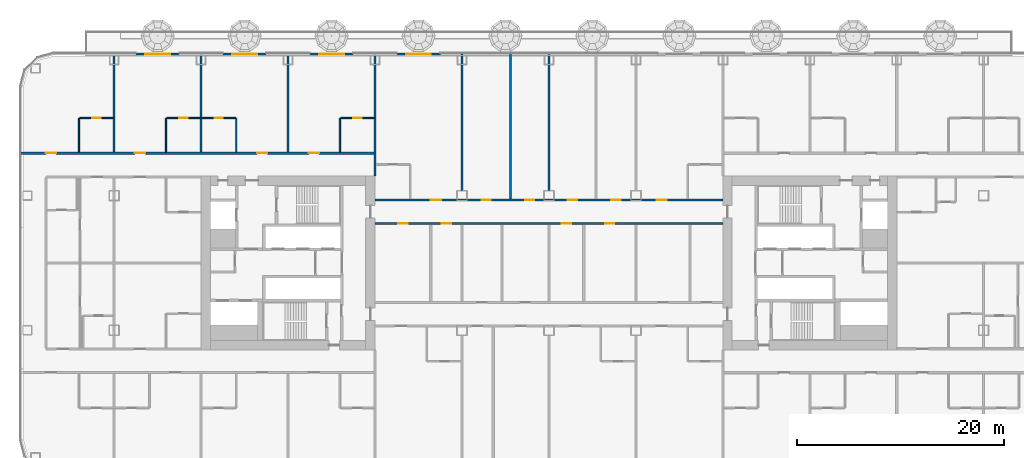
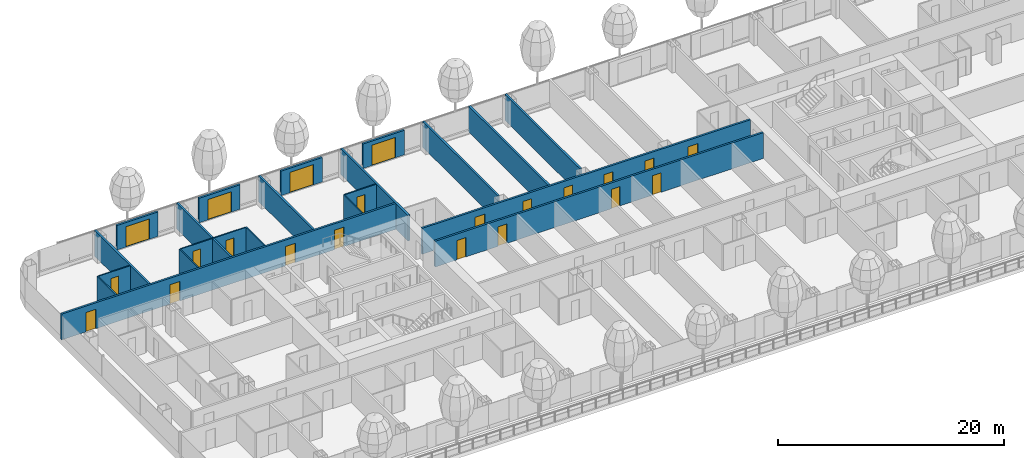
# One storey, part 16 of 35: 22 doors, 21 walls, 22 openings, 1 element without a shape of its own.
"""IFC4 building model written with IfcOpenShell, lengths in metres."""

import ifcopenshell
import ifcopenshell.guid

model = None  # the IFC model being written
_history = None  # IfcOwnerHistory: only IFC2X3 demands one
_inside = {}  # id of a spatial element -> (the spatial element, [elements in it])
_under = {}  # id of a project, library or spatial element -> (it, [spatial elements below it])
_declared = {}  # id of a project -> (the project, [libraries it declares])
_typed = {}  # id of a type object -> (the type object, [elements of that type])
_made_of = {}  # id of a material, layer set ... -> (it, [elements and type objects made of it])


def new_model(schema):
    """Start an empty IFC model of exactly this schema.

    Asked for "IFC4X3", IfcOpenShell would pick the latest addendum, in which some entities
    have other attributes; the version numbers below select the first issue.
    IFC2X3 requires an IfcOwnerHistory on every rooted entity: one is made here for all.
    """
    global model, _history
    if schema == "IFC4X3":
        model = ifcopenshell.file(schema_version=(4, 3, 0, 0))
    else:
        model = ifcopenshell.file(schema=schema)
    _inside.clear()
    _under.clear()
    _declared.clear()
    _typed.clear()
    _made_of.clear()
    _history = None
    if model.schema == "IFC2X3":
        org = make("IfcOrganization", Name="unknown")
        user = make(
            "IfcPersonAndOrganization",
            ThePerson=make("IfcPerson", FamilyName="unknown"),
            TheOrganization=org,
        )
        app = make(
            "IfcApplication",
            ApplicationDeveloper=org,
            Version="unknown",
            ApplicationFullName="unknown",
            ApplicationIdentifier="unknown",
        )
        _history = make(
            "IfcOwnerHistory",
            OwningUser=user,
            OwningApplication=app,
            ChangeAction="ADDED",
            CreationDate=0,
        )
    return model


def make(cls, **values):
    """One entity of the class cls with the attributes given. An attribute that is None is left unset."""
    return model.create_entity(
        cls, **{name: value for name, value in values.items() if value is not None}
    )


def rooted(cls, **values):
    """An entity with a GlobalId (a new one), such as an element, a storey or a relation."""
    return make(cls, GlobalId=ifcopenshell.guid.new(), OwnerHistory=_history, **values)


def si_unit(unit_type, name, prefix=None):
    """IfcSIUnit, for example si_unit("LENGTHUNIT", "METRE", prefix="MILLI")."""
    return make("IfcSIUnit", UnitType=unit_type, Prefix=prefix, Name=name)


def assignment(units):
    """IfcUnitAssignment: the units of a project."""
    return None if units is None else make("IfcUnitAssignment", Units=units)


def point(xyz):
    """IfcCartesianPoint."""
    return None if xyz is None else make("IfcCartesianPoint", Coordinates=xyz)


def direction(xyz):
    """IfcDirection."""
    return None if xyz is None else make("IfcDirection", DirectionRatios=xyz)


def frame(location, z_axis=None, x_axis=None):
    """IfcAxis2Placement3D, a coordinate frame: its origin and axes. An axis left out is left unset."""
    return make(
        "IfcAxis2Placement3D",
        Location=point(location),
        Axis=direction(z_axis),
        RefDirection=direction(x_axis),
    )


def frame_2d(location, x_axis=None):
    """IfcAxis2Placement2D, a coordinate frame in the plane: its origin and x axis."""
    return make(
        "IfcAxis2Placement2D", Location=point(location), RefDirection=direction(x_axis)
    )


def origin():
    """The frame at (0, 0, 0) with its axes left unset."""
    return frame((0.0, 0.0, 0.0))


def place(relative_to, where):
    """IfcLocalPlacement: puts the frame where relative to a parent placement (None: the world)."""
    return make(
        "IfcLocalPlacement", PlacementRelTo=relative_to, RelativePlacement=where
    )


def context(
    kind, dimensions, precision=None, world=None, true_north=None, identifier=None
):
    """IfcGeometricRepresentationContext, for example the 3D "Model" context."""
    return make(
        "IfcGeometricRepresentationContext",
        ContextIdentifier=identifier,
        ContextType=kind,
        CoordinateSpaceDimension=dimensions,
        Precision=precision,
        WorldCoordinateSystem=world,
        TrueNorth=true_north,
    )


def subcontext(parent, identifier, kind, view, scale=None):
    """IfcGeometricRepresentationSubContext, for example "Body" below "Model"."""
    return make(
        "IfcGeometricRepresentationSubContext",
        ContextIdentifier=identifier,
        ContextType=kind,
        ParentContext=parent,
        TargetScale=scale,
        TargetView=view,
    )


def project(units=None, contexts=None):
    """IfcProject with its units and contexts."""
    return rooted(
        "IfcProject",
        Name="project",
        RepresentationContexts=contexts,
        UnitsInContext=assignment(units),
    )


def spatial(cls, under=None, at=None, **own):
    """A site, building, storey or space (cls), placed at a placement, below another one or the project."""
    s = rooted(cls, ObjectPlacement=at, **own)
    if under is not None:
        _under.setdefault(under.id(), (under, []))[1].append(s)
    return s


def profile(cls, at=None, kind="AREA", **sizes):
    """A parametric profile (cls). Its sizes go by their IFC names, for example OverallWidth=200.0."""
    return make(cls, ProfileType=kind, Position=at, **sizes)


def rectangle(**sizes):
    """IfcRectangleProfileDef."""
    return profile("IfcRectangleProfileDef", **sizes)


def extrude(swept, where, along, depth):
    """IfcExtrudedAreaSolid: the profile swept, set in the frame where, extruded along a direction by depth."""
    return make(
        "IfcExtrudedAreaSolid",
        SweptArea=swept,
        Position=where,
        ExtrudedDirection=direction(along),
        Depth=depth,
    )


def shape(context_of_items, identifier, shape_type, items):
    """IfcShapeRepresentation: the items that make up one representation, for example the "Body"."""
    return make(
        "IfcShapeRepresentation",
        ContextOfItems=context_of_items,
        RepresentationIdentifier=identifier,
        RepresentationType=shape_type,
        Items=items,
    )


def material(Name=None, Category=None):
    """IfcMaterial."""
    return make("IfcMaterial", Name=Name, Category=Category)


def layer(
    of_material, thickness, ventilated=None, Name=None, Category=None, Priority=None
):
    """IfcMaterialLayer: one layer of a wall or slab, of a material (None: an air gap)."""
    return make(
        "IfcMaterialLayer",
        Material=of_material,
        LayerThickness=thickness,
        IsVentilated=ventilated,
        Name=Name,
        Category=Category,
        Priority=Priority,
    )


def layer_set(layers, Name=None):
    """IfcMaterialLayerSet."""
    return make("IfcMaterialLayerSet", MaterialLayers=layers, LayerSetName=Name)


def made_of(thing, what):
    """Note that an element or type object is made of a material, layer set ...; save() writes the relation."""
    if what is not None:
        _made_of.setdefault(what.id(), (what, []))[1].append(thing)
    return thing


def type_object(cls, material=None, **own):
    """A type object (cls), such as IfcWallType, which elements share."""
    return made_of(rooted(cls, **own), material)


def element(
    cls,
    number,
    at=None,
    inside=None,
    cuts=None,
    type_object=None,
    material=None,
    context=None,
    identifier="Body",
    shape_type=None,
    held_by="IfcProductDefinitionShape",
    body=None,
    shapes=None,
    **own,
):
    """One element of the class cls, such as IfcWall. Its Tag is "e" and its number.

    at: its placement. inside: the storey or other place that contains it. cuts: it is an
    opening in that element (IfcRelVoidsElement). A single representation is given by context,
    identifier, shape_type and body (its items); several are given by shapes. held_by: the class
    of the entity that holds the representations. save() writes the other relations.
    """
    e = rooted(cls, Tag="e%d" % number, ObjectPlacement=at, **own)
    if body is not None:
        shapes = [shape(context, identifier, shape_type, body)]
    if shapes is not None:
        e.Representation = make(held_by, Representations=shapes)
    if inside is not None:
        _inside.setdefault(inside.id(), (inside, []))[1].append(e)
    if cuts is not None:
        rooted(
            "IfcRelVoidsElement", RelatingBuildingElement=cuts, RelatedOpeningElement=e
        )
    if type_object is not None:
        _typed.setdefault(type_object.id(), (type_object, []))[1].append(e)
    return made_of(e, material)


def fill(opening, filler):
    """IfcRelFillsElement: the door or window that sits in an opening."""
    return rooted(
        "IfcRelFillsElement",
        RelatingOpeningElement=opening,
        RelatedBuildingElement=filler,
    )


def aggregate(whole, parts):
    """IfcRelAggregates: a whole, such as a stair, and the parts it consists of."""
    return rooted("IfcRelAggregates", RelatingObject=whole, RelatedObjects=parts)


def save(model, path):
    """Write the relations noted so far, then the file.

    IfcRelAggregates (storeys below a building ...), IfcRelContainedInSpatialStructure (elements
    in a storey), IfcRelDefinesByType, IfcRelAssociatesMaterial and IfcRelDeclares: one each for
    every whole, place, type object, material and project.
    """
    for whole, parts in _under.values():
        aggregate(whole, parts)
    for where, things in _inside.values():
        rooted(
            "IfcRelContainedInSpatialStructure",
            RelatedElements=things,
            RelatingStructure=where,
        )
    for kind, things in _typed.values():
        rooted("IfcRelDefinesByType", RelatedObjects=things, RelatingType=kind)
    for what, things in _made_of.values():
        rooted("IfcRelAssociatesMaterial", RelatedObjects=things, RelatingMaterial=what)
    for by, libraries in _declared.values():
        rooted("IfcRelDeclares", RelatingContext=by, RelatedDefinitions=libraries)
    model.write(path)


model = new_model("IFC4")

# Units and contexts
model_context = context("Model", 3, precision=1e-05, world=origin(), true_north=direction((0.0, 1.0)))
body_context = subcontext(model_context, "Body", "Model", "MODEL_VIEW")
ifc_project = project(units=[si_unit("LENGTHUNIT", "METRE"), si_unit("AREAUNIT", "SQUARE_METRE"), si_unit("VOLUMEUNIT", "CUBIC_METRE"), si_unit("PLANEANGLEUNIT", "RADIAN"), si_unit("MASSUNIT", "GRAM", prefix="KILO")], contexts=[model_context])

# Site, building, storey
site_placement = place(None, origin())
site = spatial("IfcSite", under=ifc_project, at=site_placement, CompositionType="ELEMENT")
building_placement = place(site_placement, origin())
building = spatial("IfcBuilding", under=site, at=building_placement, Name="Hakoniwa Tower and Hamabe Station Hall", CompositionType="ELEMENT")
storey_placement = place(building_placement, frame((0.0, 0.0, 51.800048828125)))
storey = spatial("IfcBuildingStorey", under=building, at=storey_placement, Name="L14", CompositionType="ELEMENT", Elevation=51.800048828125)

# Wall, opening, door
ifc_material_1 = material(Name="Gypsum board partition", Category="gypsum")
ifc_layer_1 = layer(ifc_material_1, 0.125)
ifc_layer_set_1 = layer_set([ifc_layer_1], Name="Bathroom Partition 125")
wall_type_1 = type_object("IfcWallType", Name="Bathroom Partition 125", PredefinedType="PARTITIONING", material=ifc_layer_set_1)
wall_1_placement = place(storey_placement, frame((-45.33740234375, 14.0, 0.0), z_axis=(0.0, 0.0, 1.0), x_axis=(1.0, 0.0, 0.0)))
wall_1 = element("IfcWall", 1, at=wall_1_placement, inside=storey, type_object=wall_type_1, Name="GW-L14-034", PredefinedType="PARTITIONING", context=body_context, shape_type="SweptSolid", body=[
    extrude(rectangle(XDim=3.2373046875, YDim=0.125, at=frame_2d((1.61865234375, 0.0))), origin(), (0.0, 0.0, 1.0), 2.800048828125),
])
opening_1_placement = place(wall_1_placement, frame((1.237548828125, 0.0, 0.0)))
opening_1 = element("IfcOpeningElement", 2, at=opening_1_placement, cuts=wall_1, Name="Opening GD-G1A2-64", PredefinedType="OPENING", context=body_context, shape_type="SweptSolid", body=[
    extrude(rectangle(XDim=0.800048828125, YDim=2.10009765625, at=frame_2d((0.39990234375, 1.050048828125))), frame((0.0, 0.072509765625, 0.0), z_axis=(0.0, -1.0, 0.0), x_axis=(1.0, 0.0, 0.0)), (0.0, 0.0, 1.0), 0.14501953125),
])
ifc_material_2 = material(Name="Timber door leaf", Category="wood")
door_type_1 = type_object("IfcDoorType", Name="Bathroom Door 800", OperationType="SINGLE_SWING_LEFT", PredefinedType="DOOR", material=ifc_material_2)
door_1_placement = place(opening_1_placement, origin())
door_1 = element("IfcDoor", 3, at=door_1_placement, inside=storey, type_object=door_type_1, Name="Door GD-G1A2-64", OperationType="SINGLE_SWING_LEFT", OverallHeight=2.10009765625, OverallWidth=0.800048828125, PredefinedType="DOOR", context=body_context, shape_type="SweptSolid", body=[
    extrude(rectangle(XDim=0.800048828125, YDim=2.10009765625, at=frame_2d((0.39990234375, 1.050048828125))), frame((0.0, 0.02490234375, 0.0), z_axis=(0.0, -1.0, 0.0), x_axis=(1.0, 0.0, 0.0)), (0.0, 0.0, 1.0), 0.050048828125),
])
fill(opening_1, door_1)

# Wall, openings, doors
wall_2_placement = place(storey_placement, frame((-36.9375, 14.0, 0.0), z_axis=(0.0, 0.0, 1.0), x_axis=(1.0, 0.0, 0.0)))
wall_2 = element("IfcWall", 4, at=wall_2_placement, inside=storey, type_object=wall_type_1, Name="GW-L14-035", PredefinedType="PARTITIONING", context=body_context, shape_type="SweptSolid", body=[
    extrude(rectangle(XDim=6.675048828125, YDim=0.125, at=frame_2d((3.33740234375, 0.0))), origin(), (0.0, 0.0, 1.0), 2.800048828125),
])
opening_2_placement = place(wall_2_placement, frame((1.237548828125, 0.0, 0.0)))
opening_2 = element("IfcOpeningElement", 5, at=opening_2_placement, cuts=wall_2, Name="Opening GD-G1A2-65", PredefinedType="OPENING", context=body_context, shape_type="SweptSolid", body=[
    extrude(rectangle(XDim=0.800048828125, YDim=2.10009765625, at=frame_2d((0.39990234375, 1.050048828125))), frame((0.0, 0.072509765625, 0.0), z_axis=(0.0, -1.0, 0.0), x_axis=(1.0, 0.0, 0.0)), (0.0, 0.0, 1.0), 0.14501953125),
])
opening_3_placement = place(wall_2_placement, frame((4.637451171875, 0.0, 0.0)))
opening_3 = element("IfcOpeningElement", 6, at=opening_3_placement, cuts=wall_2, Name="Opening GD-G1A2-66", PredefinedType="OPENING", context=body_context, shape_type="SweptSolid", body=[
    extrude(rectangle(XDim=0.800048828125, YDim=2.10009765625, at=frame_2d((0.39990234375, 1.050048828125))), frame((0.0, 0.072509765625, 0.0), z_axis=(0.0, -1.0, 0.0), x_axis=(1.0, 0.0, 0.0)), (0.0, 0.0, 1.0), 0.14501953125),
])
door_2_placement = place(opening_2_placement, origin())
door_2 = element("IfcDoor", 7, at=door_2_placement, inside=storey, type_object=door_type_1, Name="Door GD-G1A2-65", OperationType="SINGLE_SWING_RIGHT", OverallHeight=2.10009765625, OverallWidth=0.800048828125, PredefinedType="DOOR", context=body_context, shape_type="SweptSolid", body=[
    extrude(rectangle(XDim=0.800048828125, YDim=2.10009765625, at=frame_2d((0.39990234375, 1.050048828125))), frame((0.0, 0.02490234375, 0.0), z_axis=(0.0, -1.0, 0.0), x_axis=(1.0, 0.0, 0.0)), (0.0, 0.0, 1.0), 0.050048828125),
])
fill(opening_2, door_2)
door_3_placement = place(opening_3_placement, origin())
door_3 = element("IfcDoor", 8, at=door_3_placement, inside=storey, type_object=door_type_1, Name="Door GD-G1A2-66", OperationType="SINGLE_SWING_LEFT", OverallHeight=2.10009765625, OverallWidth=0.800048828125, PredefinedType="DOOR", context=body_context, shape_type="SweptSolid", body=[
    extrude(rectangle(XDim=0.800048828125, YDim=2.10009765625, at=frame_2d((0.39990234375, 1.050048828125))), frame((0.0, 0.02490234375, 0.0), z_axis=(0.0, -1.0, 0.0), x_axis=(1.0, 0.0, 0.0)), (0.0, 0.0, 1.0), 0.050048828125),
])
fill(opening_3, door_3)

# Wall, opening, door
wall_3_placement = place(storey_placement, frame((-20.137451171875, 14.0, 0.0), z_axis=(0.0, 0.0, 1.0), x_axis=(1.0, 0.0, 0.0)))
wall_3 = element("IfcWall", 9, at=wall_3_placement, inside=storey, type_object=wall_type_1, Name="GW-L14-036", PredefinedType="PARTITIONING", context=body_context, shape_type="SweptSolid", body=[
    extrude(rectangle(XDim=3.237548828125, YDim=0.125, at=frame_2d((1.61865234375, 0.0))), origin(), (0.0, 0.0, 1.0), 2.800048828125),
])
opening_4_placement = place(wall_3_placement, frame((1.237548828125, 0.0, 0.0)))
opening_4 = element("IfcOpeningElement", 10, at=opening_4_placement, cuts=wall_3, Name="Opening GD-G1A2-67", PredefinedType="OPENING", context=body_context, shape_type="SweptSolid", body=[
    extrude(rectangle(XDim=0.800048828125, YDim=2.10009765625, at=frame_2d((0.39990234375, 1.050048828125))), frame((0.0, 0.072509765625, 0.0), z_axis=(0.0, -1.0, 0.0), x_axis=(1.0, 0.0, 0.0)), (0.0, 0.0, 1.0), 0.14501953125),
])
door_4_placement = place(opening_4_placement, origin())
door_4 = element("IfcDoor", 11, at=door_4_placement, inside=storey, type_object=door_type_1, Name="Door GD-G1A2-67", OperationType="SINGLE_SWING_RIGHT", OverallHeight=2.10009765625, OverallWidth=0.800048828125, PredefinedType="DOOR", context=body_context, shape_type="SweptSolid", body=[
    extrude(rectangle(XDim=0.800048828125, YDim=2.10009765625, at=frame_2d((0.39990234375, 1.050048828125))), frame((0.0, 0.02490234375, 0.0), z_axis=(0.0, -1.0, 0.0), x_axis=(1.0, 0.0, 0.0)), (0.0, 0.0, 1.0), 0.050048828125),
])
fill(opening_4, door_4)

# Walls
for number, where, z_axis, x_axis, name in (
    (12, (-45.39990234375, 10.699951171875, 0.0), (0.0, 0.0, 1.0), (0.0, 1.0, 0.0), "GW-L14-043"),
    (13, (-37.0, 10.699951171875, 0.0), (0.0, 0.0, 1.0), (0.0, 1.0, 0.0), "GW-L14-052"),
    (14, (-30.199951171875, 10.699951171875, 0.0), (0.0, 0.0, 1.0), (0.0, 1.0, 0.0), "GW-L14-056"),
    (15, (-20.199951171875, 10.699951171875, 0.0), (0.0, 0.0, 1.0), (0.0, 1.0, 0.0), "GW-L14-060"),
):
    element("IfcWall", number, at=place(storey_placement, frame(where, z_axis=z_axis, x_axis=x_axis)), inside=storey, type_object=wall_type_1, Name=name, PredefinedType="PARTITIONING", context=body_context, shape_type="SweptSolid", body=[
        extrude(rectangle(XDim=3.300048828125, YDim=0.125, at=frame_2d((1.64990234375, 0.0))), origin(), (0.0, 0.0, 1.0), 2.800048828125),
    ])

# Wall, openings, doors
ifc_material_3 = material(Name="Fire-rated gypsum board partition", Category="gypsum")
ifc_layer_2 = layer(ifc_material_3, 0.199951171875)
ifc_layer_set_2 = layer_set([ifc_layer_2], Name="Corridor Wall 200")
wall_type_2 = type_object("IfcWallType", Name="Corridor Wall 200", PredefinedType="PARTITIONING", material=ifc_layer_set_2)
wall_4_placement = place(storey_placement, frame((-16.800048828125, 3.800048828125, 0.0), z_axis=(0.0, 0.0, 1.0), x_axis=(1.0, 0.0, 0.0)))
wall_4 = element("IfcWall", 16, at=wall_4_placement, inside=storey, type_object=wall_type_2, Name="GW-L14-022", PredefinedType="PARTITIONING", context=body_context, shape_type="SweptSolid", body=[
    extrude(rectangle(XDim=33.60009765625, YDim=0.199951171875, at=frame_2d((16.800048828125, 0.0))), origin(), (0.0, 0.0, 1.0), 2.800048828125),
])
opening_5_placement = place(wall_4_placement, frame((2.239990234375, 0.0, 0.0)))
opening_5 = element("IfcOpeningElement", 17, at=opening_5_placement, cuts=wall_4, Name="Opening GD-G1A2-37", PredefinedType="OPENING", context=body_context, shape_type="SweptSolid", body=[
    extrude(rectangle(XDim=0.89990234375, YDim=2.10009765625, at=frame_2d((0.449951171875, 1.050048828125))), frame((0.0, 0.10986328125, 0.0), z_axis=(0.0, -1.0, 0.0), x_axis=(1.0, 0.0, 0.0)), (0.0, 0.0, 1.0), 0.219970703125),
])
opening_6_placement = place(wall_4_placement, frame((6.43994140625, 0.0, 0.0)))
opening_6 = element("IfcOpeningElement", 18, at=opening_6_placement, cuts=wall_4, Name="Opening GD-G1A2-38", PredefinedType="OPENING", context=body_context, shape_type="SweptSolid", body=[
    extrude(rectangle(XDim=0.89990234375, YDim=2.10009765625, at=frame_2d((0.449951171875, 1.050048828125))), frame((0.0, 0.10986328125, 0.0), z_axis=(0.0, -1.0, 0.0), x_axis=(1.0, 0.0, 0.0)), (0.0, 0.0, 1.0), 0.219970703125),
])
opening_7_placement = place(wall_4_placement, frame((18.030029296875, 0.0, 0.0)))
opening_7 = element("IfcOpeningElement", 19, at=opening_7_placement, cuts=wall_4, Name="Opening GD-G1A2-39", PredefinedType="OPENING", context=body_context, shape_type="SweptSolid", body=[
    extrude(rectangle(XDim=0.89990234375, YDim=2.10009765625, at=frame_2d((0.449951171875, 1.050048828125))), frame((0.0, 0.10986328125, 0.0), z_axis=(0.0, -1.0, 0.0), x_axis=(1.0, 0.0, 0.0)), (0.0, 0.0, 1.0), 0.219970703125),
])
opening_8_placement = place(wall_4_placement, frame((22.22998046875, 0.0, 0.0)))
opening_8 = element("IfcOpeningElement", 20, at=opening_8_placement, cuts=wall_4, Name="Opening GD-G1A2-40", PredefinedType="OPENING", context=body_context, shape_type="SweptSolid", body=[
    extrude(rectangle(XDim=0.89990234375, YDim=2.10009765625, at=frame_2d((0.449951171875, 1.050048828125))), frame((0.0, 0.10986328125, 0.0), z_axis=(0.0, -1.0, 0.0), x_axis=(1.0, 0.0, 0.0)), (0.0, 0.0, 1.0), 0.219970703125),
])
ifc_material_4 = material(Name="Timber door leaf", Category="wood")
door_type_2 = type_object("IfcDoorType", Name="Service Door 900", OperationType="SINGLE_SWING_LEFT", PredefinedType="DOOR", material=ifc_material_4)
door_5_placement = place(opening_5_placement, origin())
door_5 = element("IfcDoor", 21, at=door_5_placement, inside=storey, type_object=door_type_2, Name="Door GD-G1A2-37", OperationType="SINGLE_SWING_LEFT", OverallHeight=2.10009765625, OverallWidth=0.89990234375, PredefinedType="DOOR", context=body_context, shape_type="SweptSolid", body=[
    extrude(rectangle(XDim=0.89990234375, YDim=2.10009765625, at=frame_2d((0.449951171875, 1.050048828125))), frame((0.0, 0.02490234375, 0.0), z_axis=(0.0, -1.0, 0.0), x_axis=(1.0, 0.0, 0.0)), (0.0, 0.0, 1.0), 0.050048828125),
])
fill(opening_5, door_5)
door_6_placement = place(opening_6_placement, origin())
door_6 = element("IfcDoor", 22, at=door_6_placement, inside=storey, type_object=door_type_2, Name="Door GD-G1A2-38", OperationType="SINGLE_SWING_RIGHT", OverallHeight=2.10009765625, OverallWidth=0.89990234375, PredefinedType="DOOR", context=body_context, shape_type="SweptSolid", body=[
    extrude(rectangle(XDim=0.89990234375, YDim=2.10009765625, at=frame_2d((0.449951171875, 1.050048828125))), frame((0.0, 0.02490234375, 0.0), z_axis=(0.0, -1.0, 0.0), x_axis=(1.0, 0.0, 0.0)), (0.0, 0.0, 1.0), 0.050048828125),
])
fill(opening_6, door_6)
door_7_placement = place(opening_7_placement, origin())
door_7 = element("IfcDoor", 23, at=door_7_placement, inside=storey, type_object=door_type_2, Name="Door GD-G1A2-39", OperationType="SINGLE_SWING_LEFT", OverallHeight=2.10009765625, OverallWidth=0.89990234375, PredefinedType="DOOR", context=body_context, shape_type="SweptSolid", body=[
    extrude(rectangle(XDim=0.89990234375, YDim=2.10009765625, at=frame_2d((0.449951171875, 1.050048828125))), frame((0.0, 0.02490234375, 0.0), z_axis=(0.0, -1.0, 0.0), x_axis=(1.0, 0.0, 0.0)), (0.0, 0.0, 1.0), 0.050048828125),
])
fill(opening_7, door_7)
door_8_placement = place(opening_8_placement, origin())
door_8 = element("IfcDoor", 24, at=door_8_placement, inside=storey, type_object=door_type_2, Name="Door GD-G1A2-40", OperationType="SINGLE_SWING_LEFT", OverallHeight=2.10009765625, OverallWidth=0.89990234375, PredefinedType="DOOR", context=body_context, shape_type="SweptSolid", body=[
    extrude(rectangle(XDim=0.89990234375, YDim=2.10009765625, at=frame_2d((0.449951171875, 1.050048828125))), frame((0.0, 0.02490234375, 0.0), z_axis=(0.0, -1.0, 0.0), x_axis=(1.0, 0.0, 0.0)), (0.0, 0.0, 1.0), 0.050048828125),
])
fill(opening_8, door_8)

wall_5_placement = place(storey_placement, frame((-16.800048828125, 6.10009765625, 0.0), z_axis=(0.0, 0.0, 1.0), x_axis=(1.0, 0.0, 0.0)))
wall_5 = element("IfcWall", 25, at=wall_5_placement, inside=storey, type_object=wall_type_2, Name="GW-L14-027", PredefinedType="PARTITIONING", context=body_context, shape_type="SweptSolid", body=[
    extrude(rectangle(XDim=33.60009765625, YDim=0.199951171875, at=frame_2d((16.800048828125, 0.0))), origin(), (0.0, 0.0, 1.0), 2.800048828125),
])
opening_9_placement = place(wall_5_placement, frame((5.39990234375, 0.0, 0.0)))
opening_9 = element("IfcOpeningElement", 26, at=opening_9_placement, cuts=wall_5, Name="Opening GD-G1A2-45", PredefinedType="OPENING", context=body_context, shape_type="SweptSolid", body=[
    extrude(rectangle(XDim=1.0, YDim=2.10009765625, at=frame_2d((0.5, 1.050048828125))), frame((0.0, 0.10986328125, 0.0), z_axis=(0.0, -1.0, 0.0), x_axis=(1.0, 0.0, 0.0)), (0.0, 0.0, 1.0), 0.219970703125),
])
opening_10_placement = place(wall_5_placement, frame((10.300048828125, 0.0, 0.0)))
opening_10 = element("IfcOpeningElement", 27, at=opening_10_placement, cuts=wall_5, Name="Opening GD-G1A2-46", PredefinedType="OPENING", context=body_context, shape_type="SweptSolid", body=[
    extrude(rectangle(XDim=0.89990234375, YDim=2.10009765625, at=frame_2d((0.449951171875, 1.050048828125))), frame((0.0, 0.10986328125, 0.0), z_axis=(0.0, -1.0, 0.0), x_axis=(1.0, 0.0, 0.0)), (0.0, 0.0, 1.0), 0.219970703125),
])
opening_11_placement = place(wall_5_placement, frame((14.5, 0.0, 0.0)))
opening_11 = element("IfcOpeningElement", 28, at=opening_11_placement, cuts=wall_5, Name="Opening GD-G1A2-47", PredefinedType="OPENING", context=body_context, shape_type="SweptSolid", body=[
    extrude(rectangle(XDim=0.89990234375, YDim=2.10009765625, at=frame_2d((0.449951171875, 1.050048828125))), frame((0.0, 0.10986328125, 0.0), z_axis=(0.0, -1.0, 0.0), x_axis=(1.0, 0.0, 0.0)), (0.0, 0.0, 1.0), 0.219970703125),
])
opening_12_placement = place(wall_5_placement, frame((18.6201171875, 0.0, 0.0)))
opening_12 = element("IfcOpeningElement", 29, at=opening_12_placement, cuts=wall_5, Name="Opening GD-G1A2-48", PredefinedType="OPENING", context=body_context, shape_type="SweptSolid", body=[
    extrude(rectangle(XDim=0.89990234375, YDim=2.10009765625, at=frame_2d((0.449951171875, 1.050048828125))), frame((0.0, 0.10986328125, 0.0), z_axis=(0.0, -1.0, 0.0), x_axis=(1.0, 0.0, 0.0)), (0.0, 0.0, 1.0), 0.219970703125),
])
opening_13_placement = place(wall_5_placement, frame((22.820068359375, 0.0, 0.0)))
opening_13 = element("IfcOpeningElement", 30, at=opening_13_placement, cuts=wall_5, Name="Opening GD-G1A2-49", PredefinedType="OPENING", context=body_context, shape_type="SweptSolid", body=[
    extrude(rectangle(XDim=0.89990234375, YDim=2.10009765625, at=frame_2d((0.449951171875, 1.050048828125))), frame((0.0, 0.10986328125, 0.0), z_axis=(0.0, -1.0, 0.0), x_axis=(1.0, 0.0, 0.0)), (0.0, 0.0, 1.0), 0.219970703125),
])
opening_14_placement = place(wall_5_placement, frame((27.199951171875, 0.0, 0.0)))
opening_14 = element("IfcOpeningElement", 31, at=opening_14_placement, cuts=wall_5, Name="Opening GD-G1A2-50", PredefinedType="OPENING", context=body_context, shape_type="SweptSolid", body=[
    extrude(rectangle(XDim=1.0, YDim=2.10009765625, at=frame_2d((0.5, 1.050048828125))), frame((0.0, 0.10986328125, 0.0), z_axis=(0.0, -1.0, 0.0), x_axis=(1.0, 0.0, 0.0)), (0.0, 0.0, 1.0), 0.219970703125),
])
ifc_material_5 = material(Name="Timber door leaf", Category="wood")
door_type_3 = type_object("IfcDoorType", Name="Guest Entrance Door 1000", OperationType="SINGLE_SWING_LEFT", PredefinedType="DOOR", material=ifc_material_5)
door_9_placement = place(opening_9_placement, origin())
door_9 = element("IfcDoor", 32, at=door_9_placement, inside=storey, type_object=door_type_3, Name="Door GD-G1A2-45", OperationType="SINGLE_SWING_LEFT", OverallHeight=2.10009765625, OverallWidth=1.0, PredefinedType="DOOR", context=body_context, shape_type="SweptSolid", body=[
    extrude(rectangle(XDim=1.0, YDim=2.10009765625, at=frame_2d((0.5, 1.050048828125))), frame((0.0, 0.02490234375, 0.0), z_axis=(0.0, -1.0, 0.0), x_axis=(1.0, 0.0, 0.0)), (0.0, 0.0, 1.0), 0.050048828125),
])
fill(opening_9, door_9)
door_10_placement = place(opening_14_placement, origin())
door_10 = element("IfcDoor", 33, at=door_10_placement, inside=storey, type_object=door_type_3, Name="Door GD-G1A2-50", OperationType="SINGLE_SWING_LEFT", OverallHeight=2.10009765625, OverallWidth=1.0, PredefinedType="DOOR", context=body_context, shape_type="SweptSolid", body=[
    extrude(rectangle(XDim=1.0, YDim=2.10009765625, at=frame_2d((0.5, 1.050048828125))), frame((0.0, 0.02490234375, 0.0), z_axis=(0.0, -1.0, 0.0), x_axis=(1.0, 0.0, 0.0)), (0.0, 0.0, 1.0), 0.050048828125),
])
fill(opening_14, door_10)
door_11_placement = place(opening_10_placement, origin())
door_11 = element("IfcDoor", 34, at=door_11_placement, inside=storey, type_object=door_type_2, Name="Door GD-G1A2-46", OperationType="SINGLE_SWING_RIGHT", OverallHeight=2.10009765625, OverallWidth=0.89990234375, PredefinedType="DOOR", context=body_context, shape_type="SweptSolid", body=[
    extrude(rectangle(XDim=0.89990234375, YDim=2.10009765625, at=frame_2d((0.449951171875, 1.050048828125))), frame((0.0, 0.02490234375, 0.0), z_axis=(0.0, -1.0, 0.0), x_axis=(1.0, 0.0, 0.0)), (0.0, 0.0, 1.0), 0.050048828125),
])
fill(opening_10, door_11)
door_12_placement = place(opening_11_placement, origin())
door_12 = element("IfcDoor", 35, at=door_12_placement, inside=storey, type_object=door_type_2, Name="Door GD-G1A2-47", OperationType="SINGLE_SWING_RIGHT", OverallHeight=2.10009765625, OverallWidth=0.89990234375, PredefinedType="DOOR", context=body_context, shape_type="SweptSolid", body=[
    extrude(rectangle(XDim=0.89990234375, YDim=2.10009765625, at=frame_2d((0.449951171875, 1.050048828125))), frame((0.0, 0.02490234375, 0.0), z_axis=(0.0, -1.0, 0.0), x_axis=(1.0, 0.0, 0.0)), (0.0, 0.0, 1.0), 0.050048828125),
])
fill(opening_11, door_12)
door_13_placement = place(opening_12_placement, origin())
door_13 = element("IfcDoor", 36, at=door_13_placement, inside=storey, type_object=door_type_2, Name="Door GD-G1A2-48", OperationType="SINGLE_SWING_RIGHT", OverallHeight=2.10009765625, OverallWidth=0.89990234375, PredefinedType="DOOR", context=body_context, shape_type="SweptSolid", body=[
    extrude(rectangle(XDim=0.89990234375, YDim=2.10009765625, at=frame_2d((0.449951171875, 1.050048828125))), frame((0.0, 0.02490234375, 0.0), z_axis=(0.0, -1.0, 0.0), x_axis=(1.0, 0.0, 0.0)), (0.0, 0.0, 1.0), 0.050048828125),
])
fill(opening_12, door_13)
door_14_placement = place(opening_13_placement, origin())
door_14 = element("IfcDoor", 37, at=door_14_placement, inside=storey, type_object=door_type_2, Name="Door GD-G1A2-49", OperationType="SINGLE_SWING_RIGHT", OverallHeight=2.10009765625, OverallWidth=0.89990234375, PredefinedType="DOOR", context=body_context, shape_type="SweptSolid", body=[
    extrude(rectangle(XDim=0.89990234375, YDim=2.10009765625, at=frame_2d((0.449951171875, 1.050048828125))), frame((0.0, 0.02490234375, 0.0), z_axis=(0.0, -1.0, 0.0), x_axis=(1.0, 0.0, 0.0)), (0.0, 0.0, 1.0), 0.050048828125),
])
fill(opening_13, door_14)

wall_6_placement = place(storey_placement, frame((-51.10009765625, 10.60009765625, 0.0), z_axis=(0.0, 0.0, 1.0), x_axis=(1.0, 0.0, 0.0)))
wall_6 = element("IfcWall", 38, at=wall_6_placement, inside=storey, type_object=wall_type_2, Name="GW-L14-032", PredefinedType="PARTITIONING", context=body_context, shape_type="SweptSolid", body=[
    extrude(rectangle(XDim=34.300048828125, YDim=0.199951171875, at=frame_2d((17.14990234375, 0.0))), origin(), (0.0, 0.0, 1.0), 2.800048828125),
])
opening_15_placement = place(wall_6_placement, frame((2.5, 0.0, 0.0)))
opening_15 = element("IfcOpeningElement", 39, at=opening_15_placement, cuts=wall_6, Name="Opening GD-G1A2-56", PredefinedType="OPENING", context=body_context, shape_type="SweptSolid", body=[
    extrude(rectangle(XDim=1.0, YDim=2.10009765625, at=frame_2d((0.5, 1.050048828125))), frame((0.0, 0.10986328125, 0.0), z_axis=(0.0, -1.0, 0.0), x_axis=(1.0, 0.0, 0.0)), (0.0, 0.0, 1.0), 0.219970703125),
])
opening_16_placement = place(wall_6_placement, frame((11.10009765625, 0.0, 0.0)))
opening_16 = element("IfcOpeningElement", 40, at=opening_16_placement, cuts=wall_6, Name="Opening GD-G1A2-57", PredefinedType="OPENING", context=body_context, shape_type="SweptSolid", body=[
    extrude(rectangle(XDim=1.0, YDim=2.10009765625, at=frame_2d((0.5, 1.050048828125))), frame((0.0, 0.10986328125, 0.0), z_axis=(0.0, -1.0, 0.0), x_axis=(1.0, 0.0, 0.0)), (0.0, 0.0, 1.0), 0.219970703125),
])
opening_17_placement = place(wall_6_placement, frame((22.89990234375, 0.0, 0.0)))
opening_17 = element("IfcOpeningElement", 41, at=opening_17_placement, cuts=wall_6, Name="Opening GD-G1A2-58", PredefinedType="OPENING", context=body_context, shape_type="SweptSolid", body=[
    extrude(rectangle(XDim=1.0, YDim=2.10009765625, at=frame_2d((0.5, 1.050048828125))), frame((0.0, 0.10986328125, 0.0), z_axis=(0.0, -1.0, 0.0), x_axis=(1.0, 0.0, 0.0)), (0.0, 0.0, 1.0), 0.219970703125),
])
opening_18_placement = place(wall_6_placement, frame((27.89990234375, 0.0, 0.0)))
opening_18 = element("IfcOpeningElement", 42, at=opening_18_placement, cuts=wall_6, Name="Opening GD-G1A2-59", PredefinedType="OPENING", context=body_context, shape_type="SweptSolid", body=[
    extrude(rectangle(XDim=1.0, YDim=2.10009765625, at=frame_2d((0.5, 1.050048828125))), frame((0.0, 0.10986328125, 0.0), z_axis=(0.0, -1.0, 0.0), x_axis=(1.0, 0.0, 0.0)), (0.0, 0.0, 1.0), 0.219970703125),
])
door_15_placement = place(opening_15_placement, origin())
door_15 = element("IfcDoor", 43, at=door_15_placement, inside=storey, type_object=door_type_3, Name="Door GD-G1A2-56", OperationType="SINGLE_SWING_LEFT", OverallHeight=2.10009765625, OverallWidth=1.0, PredefinedType="DOOR", context=body_context, shape_type="SweptSolid", body=[
    extrude(rectangle(XDim=1.0, YDim=2.10009765625, at=frame_2d((0.5, 1.050048828125))), frame((0.0, 0.02490234375, 0.0), z_axis=(0.0, -1.0, 0.0), x_axis=(1.0, 0.0, 0.0)), (0.0, 0.0, 1.0), 0.050048828125),
])
fill(opening_15, door_15)
door_16_placement = place(opening_16_placement, origin())
door_16 = element("IfcDoor", 44, at=door_16_placement, inside=storey, type_object=door_type_3, Name="Door GD-G1A2-57", OperationType="SINGLE_SWING_RIGHT", OverallHeight=2.10009765625, OverallWidth=1.0, PredefinedType="DOOR", context=body_context, shape_type="SweptSolid", body=[
    extrude(rectangle(XDim=1.0, YDim=2.10009765625, at=frame_2d((0.5, 1.050048828125))), frame((0.0, 0.02490234375, 0.0), z_axis=(0.0, -1.0, 0.0), x_axis=(1.0, 0.0, 0.0)), (0.0, 0.0, 1.0), 0.050048828125),
])
fill(opening_16, door_16)
door_17_placement = place(opening_17_placement, origin())
door_17 = element("IfcDoor", 45, at=door_17_placement, inside=storey, type_object=door_type_3, Name="Door GD-G1A2-58", OperationType="SINGLE_SWING_LEFT", OverallHeight=2.10009765625, OverallWidth=1.0, PredefinedType="DOOR", context=body_context, shape_type="SweptSolid", body=[
    extrude(rectangle(XDim=1.0, YDim=2.10009765625, at=frame_2d((0.5, 1.050048828125))), frame((0.0, 0.02490234375, 0.0), z_axis=(0.0, -1.0, 0.0), x_axis=(1.0, 0.0, 0.0)), (0.0, 0.0, 1.0), 0.050048828125),
])
fill(opening_17, door_17)
door_18_placement = place(opening_18_placement, origin())
door_18 = element("IfcDoor", 46, at=door_18_placement, inside=storey, type_object=door_type_3, Name="Door GD-G1A2-59", OperationType="SINGLE_SWING_RIGHT", OverallHeight=2.10009765625, OverallWidth=1.0, PredefinedType="DOOR", context=body_context, shape_type="SweptSolid", body=[
    extrude(rectangle(XDim=1.0, YDim=2.10009765625, at=frame_2d((0.5, 1.050048828125))), frame((0.0, 0.02490234375, 0.0), z_axis=(0.0, -1.0, 0.0), x_axis=(1.0, 0.0, 0.0)), (0.0, 0.0, 1.0), 0.050048828125),
])
fill(opening_18, door_18)

# Curtain wall, walls, openings, doors
ifc_material_6 = material(Name="Dark low-e laminated glass", Category="glass")
ifc_layer_3 = layer(ifc_material_6, 0.199951171875)
ifc_layer_set_3 = layer_set([ifc_layer_3], Name="CW-1 UNITISED GUEST")
curtain_wall_type = type_object("IfcCurtainWallType", Name="CW-1 UNITISED GUEST", PredefinedType="NOTDEFINED", material=ifc_layer_set_3)
curtain_wall_placement = place(storey_placement, origin())
curtain_wall = element("IfcCurtainWall", 47, at=curtain_wall_placement, inside=storey, type_object=curtain_wall_type, Name="CW-1 curtain wall", PredefinedType="NOTDEFINED")
ifc_material_7 = material(Name="Dark glass-faced aluminium panel", Category="aluminium")
ifc_layer_4 = layer(ifc_material_7, 0.199951171875)
ifc_layer_set_4 = layer_set([ifc_layer_4], Name="DOOR BAY WALL")
wall_type_3 = type_object("IfcWallType", Name="DOOR BAY WALL", PredefinedType="NOTDEFINED", material=ifc_layer_set_4)
wall_7_placement = place(storey_placement, frame((-10.489990234375, 20.199951171875, 0.0), z_axis=(0.0, 0.0, 1.0), x_axis=(-1.0, 0.0, 0.0)))
wall_7 = element("IfcWall", 48, at=wall_7_placement, type_object=wall_type_3, Name="Door bay wall", PredefinedType="NOTDEFINED", context=body_context, shape_type="SweptSolid", body=[
    extrude(rectangle(XDim=4.219970703125, YDim=0.199951171875, at=frame_2d((2.10986328125, 0.0))), origin(), (0.0, 0.0, 1.0), 2.64990234375),
])
opening_19_placement = place(wall_7_placement, frame((0.909912109375, 0.0, 0.0)))
opening_19 = element("IfcOpeningElement", 49, at=opening_19_placement, cuts=wall_7, Name="Opening BD-N03-1", PredefinedType="OPENING", context=body_context, shape_type="SweptSolid", body=[
    extrude(rectangle(XDim=2.39990234375, YDim=2.199951171875, at=frame_2d((1.199951171875, 1.10009765625))), frame((0.0, 0.10986328125, 0.0), z_axis=(0.0, -1.0, 0.0), x_axis=(1.0, 0.0, 0.0)), (0.0, 0.0, 1.0), 0.219970703125),
])
ifc_material_8 = material(Name="Dark low-e laminated glass", Category="glass")
door_type_4 = type_object("IfcDoorType", Name="BALCONY SLIDING DOOR 2400X2200", OperationType="SLIDING_TO_LEFT", PredefinedType="DOOR", material=ifc_material_8)
door_19_placement = place(opening_19_placement, frame((2.39990234375, 0.0, 0.0), z_axis=(0.0, 0.0, 1.0), x_axis=(-1.0, 0.0, 0.0)))
door_19 = element("IfcDoor", 50, at=door_19_placement, inside=storey, type_object=door_type_4, Name="Balcony sliding door", OperationType="SLIDING_TO_LEFT", OverallHeight=2.199951171875, OverallWidth=2.39990234375, PredefinedType="DOOR", context=body_context, shape_type="SweptSolid", body=[
    extrude(rectangle(XDim=2.39990234375, YDim=2.199951171875, at=frame_2d((1.199951171875, 1.10009765625))), frame((0.0, 0.02490234375, 0.0), z_axis=(0.0, -1.0, 0.0), x_axis=(1.0, 0.0, 0.0)), (0.0, 0.0, 1.0), 0.050048828125),
])
fill(opening_19, door_19)
wall_8_placement = place(storey_placement, frame((-18.889892578125, 20.199951171875, 0.0), z_axis=(0.0, 0.0, 1.0), x_axis=(-1.0, 0.0, 0.0)))
wall_8 = element("IfcWall", 51, at=wall_8_placement, type_object=wall_type_3, Name="Door bay wall", PredefinedType="NOTDEFINED", context=body_context, shape_type="SweptSolid", body=[
    extrude(rectangle(XDim=4.22021484375, YDim=0.199951171875, at=frame_2d((2.110107421875, 0.0))), origin(), (0.0, 0.0, 1.0), 2.64990234375),
])
opening_20_placement = place(wall_8_placement, frame((0.909912109375, 0.0, 0.0)))
opening_20 = element("IfcOpeningElement", 52, at=opening_20_placement, cuts=wall_8, Name="Opening BD-N03-14", PredefinedType="OPENING", context=body_context, shape_type="SweptSolid", body=[
    extrude(rectangle(XDim=2.39990234375, YDim=2.199951171875, at=frame_2d((1.199951171875, 1.10009765625))), frame((0.0, 0.10986328125, 0.0), z_axis=(0.0, -1.0, 0.0), x_axis=(1.0, 0.0, 0.0)), (0.0, 0.0, 1.0), 0.219970703125),
])
door_20_placement = place(opening_20_placement, frame((2.39990234375, 0.0, 0.0), z_axis=(0.0, 0.0, 1.0), x_axis=(-1.0, 0.0, 0.0)))
door_20 = element("IfcDoor", 53, at=door_20_placement, inside=storey, type_object=door_type_4, Name="Balcony sliding door", OperationType="SLIDING_TO_LEFT", OverallHeight=2.199951171875, OverallWidth=2.39990234375, PredefinedType="DOOR", context=body_context, shape_type="SweptSolid", body=[
    extrude(rectangle(XDim=2.39990234375, YDim=2.199951171875, at=frame_2d((1.199951171875, 1.10009765625))), frame((0.0, 0.02490234375, 0.0), z_axis=(0.0, -1.0, 0.0), x_axis=(1.0, 0.0, 0.0)), (0.0, 0.0, 1.0), 0.050048828125),
])
fill(opening_20, door_20)
wall_9_placement = place(storey_placement, frame((-27.2900390625, 20.199951171875, 0.0), z_axis=(0.0, 0.0, 1.0), x_axis=(-1.0, 0.0, 0.0)))
wall_9 = element("IfcWall", 54, at=wall_9_placement, type_object=wall_type_3, Name="Door bay wall", PredefinedType="NOTDEFINED", context=body_context, shape_type="SweptSolid", body=[
    extrude(rectangle(XDim=4.219970703125, YDim=0.199951171875, at=frame_2d((2.10986328125, 0.0))), origin(), (0.0, 0.0, 1.0), 2.64990234375),
])
opening_21_placement = place(wall_9_placement, frame((0.909912109375, 0.0, 0.0)))
opening_21 = element("IfcOpeningElement", 55, at=opening_21_placement, cuts=wall_9, Name="Opening BD-N03-13", PredefinedType="OPENING", context=body_context, shape_type="SweptSolid", body=[
    extrude(rectangle(XDim=2.39990234375, YDim=2.199951171875, at=frame_2d((1.199951171875, 1.10009765625))), frame((0.0, 0.10986328125, 0.0), z_axis=(0.0, -1.0, 0.0), x_axis=(1.0, 0.0, 0.0)), (0.0, 0.0, 1.0), 0.219970703125),
])
door_21_placement = place(opening_21_placement, frame((2.39990234375, 0.0, 0.0), z_axis=(0.0, 0.0, 1.0), x_axis=(-1.0, 0.0, 0.0)))
door_21 = element("IfcDoor", 56, at=door_21_placement, inside=storey, type_object=door_type_4, Name="Balcony sliding door", OperationType="SLIDING_TO_LEFT", OverallHeight=2.199951171875, OverallWidth=2.39990234375, PredefinedType="DOOR", context=body_context, shape_type="SweptSolid", body=[
    extrude(rectangle(XDim=2.39990234375, YDim=2.199951171875, at=frame_2d((1.199951171875, 1.10009765625))), frame((0.0, 0.02490234375, 0.0), z_axis=(0.0, -1.0, 0.0), x_axis=(1.0, 0.0, 0.0)), (0.0, 0.0, 1.0), 0.050048828125),
])
fill(opening_21, door_21)
wall_10_placement = place(storey_placement, frame((-35.68994140625, 20.199951171875, 0.0), z_axis=(0.0, 0.0, 1.0), x_axis=(-1.0, 0.0, 0.0)))
wall_10 = element("IfcWall", 57, at=wall_10_placement, type_object=wall_type_3, Name="Door bay wall", PredefinedType="NOTDEFINED", context=body_context, shape_type="SweptSolid", body=[
    extrude(rectangle(XDim=4.219970703125, YDim=0.199951171875, at=frame_2d((2.10986328125, 0.0))), origin(), (0.0, 0.0, 1.0), 2.64990234375),
])
opening_22_placement = place(wall_10_placement, frame((0.909912109375, 0.0, 0.0)))
opening_22 = element("IfcOpeningElement", 58, at=opening_22_placement, cuts=wall_10, Name="Opening BD-N03-12", PredefinedType="OPENING", context=body_context, shape_type="SweptSolid", body=[
    extrude(rectangle(XDim=2.39990234375, YDim=2.199951171875, at=frame_2d((1.199951171875, 1.10009765625))), frame((0.0, 0.10986328125, 0.0), z_axis=(0.0, -1.0, 0.0), x_axis=(1.0, 0.0, 0.0)), (0.0, 0.0, 1.0), 0.219970703125),
])
door_22_placement = place(opening_22_placement, frame((2.39990234375, 0.0, 0.0), z_axis=(0.0, 0.0, 1.0), x_axis=(-1.0, 0.0, 0.0)))
door_22 = element("IfcDoor", 59, at=door_22_placement, inside=storey, type_object=door_type_4, Name="Balcony sliding door", OperationType="SLIDING_TO_LEFT", OverallHeight=2.199951171875, OverallWidth=2.39990234375, PredefinedType="DOOR", context=body_context, shape_type="SweptSolid", body=[
    extrude(rectangle(XDim=2.39990234375, YDim=2.199951171875, at=frame_2d((1.199951171875, 1.10009765625))), frame((0.0, 0.02490234375, 0.0), z_axis=(0.0, -1.0, 0.0), x_axis=(1.0, 0.0, 0.0)), (0.0, 0.0, 1.0), 0.050048828125),
])
fill(opening_22, door_22)
aggregate(curtain_wall, [wall_7, wall_8, wall_9, wall_10])

# Walls
ifc_material_9 = material(Name="Fire-rated gypsum board partition", Category="gypsum")
ifc_layer_5 = layer(ifc_material_9, 0.199951171875)
ifc_layer_set_5 = layer_set([ifc_layer_5], Name="Party Wall 200")
wall_type_4 = type_object("IfcWallType", Name="Party Wall 200", PredefinedType="PARTITIONING", material=ifc_layer_set_5)
for number, where, z_axis, x_axis, name in (
    (60, (-42.0, 10.699951171875, 0.0), (0.0, 0.0, 1.0), (0.0, 1.0, 0.0), "GW-L14-048"),
    (61, (-33.60009765625, 10.699951171875, 0.0), (0.0, 0.0, 1.0), (0.0, 1.0, 0.0), "GW-L14-054"),
    (62, (-25.199951171875, 10.699951171875, 0.0), (0.0, 0.0, 1.0), (0.0, 1.0, 0.0), "GW-L14-058"),
):
    element("IfcWall", number, at=place(storey_placement, frame(where, z_axis=z_axis, x_axis=x_axis)), inside=storey, type_object=wall_type_4, Name=name, PredefinedType="PARTITIONING", context=body_context, shape_type="SweptSolid", body=[
        extrude(rectangle(XDim=9.60009765625, YDim=0.199951171875, at=frame_2d((4.800048828125, 0.0))), origin(), (0.0, 0.0, 1.0), 2.800048828125),
    ])
wall_11_placement = place(storey_placement, frame((-16.800048828125, 8.389892578125, 0.0), z_axis=(0.0, 0.0, 1.0), x_axis=(0.0, 1.0, 0.0)))
element("IfcWall", 63, at=wall_11_placement, inside=storey, type_object=wall_type_4, Name="GW-L14-062", PredefinedType="PARTITIONING", context=body_context, shape_type="SweptSolid", body=[
    extrude(rectangle(XDim=11.91015625, YDim=0.199951171875, at=frame_2d((5.955078125, 0.0))), origin(), (0.0, 0.0, 1.0), 2.800048828125),
])
wall_12_placement = place(storey_placement, frame((-8.39990234375, 6.989990234375, 0.0), z_axis=(0.0, 0.0, 1.0), x_axis=(0.0, 1.0, 0.0)))
element("IfcWall", 64, at=wall_12_placement, inside=storey, type_object=wall_type_4, Name="GW-L14-068", PredefinedType="PARTITIONING", context=body_context, shape_type="SweptSolid", body=[
    extrude(rectangle(XDim=13.31005859375, YDim=0.199951171875, at=frame_2d((6.655029296875, 0.0))), origin(), (0.0, 0.0, 1.0), 2.800048828125),
])
wall_13_placement = place(storey_placement, frame((-3.699951171875, 6.199951171875, 0.0), z_axis=(0.0, 0.0, 1.0), x_axis=(0.0, 1.0, 0.0)))
element("IfcWall", 65, at=wall_13_placement, inside=storey, type_object=wall_type_4, Name="GW-L14-071", PredefinedType="PARTITIONING", context=body_context, shape_type="SweptSolid", body=[
    extrude(rectangle(XDim=14.10009765625, YDim=0.199951171875, at=frame_2d((7.050048828125, 0.0))), origin(), (0.0, 0.0, 1.0), 2.800048828125),
])
wall_14_placement = place(storey_placement, frame((0.0, 6.989990234375, 0.0), z_axis=(0.0, 0.0, 1.0), x_axis=(0.0, 1.0, 0.0)))
element("IfcWall", 66, at=wall_14_placement, inside=storey, type_object=wall_type_4, Name="GW-L14-074", PredefinedType="PARTITIONING", context=body_context, shape_type="SweptSolid", body=[
    extrude(rectangle(XDim=13.31005859375, YDim=0.199951171875, at=frame_2d((6.655029296875, 0.0))), origin(), (0.0, 0.0, 1.0), 2.800048828125),
])

save(model, "model.ifc")
